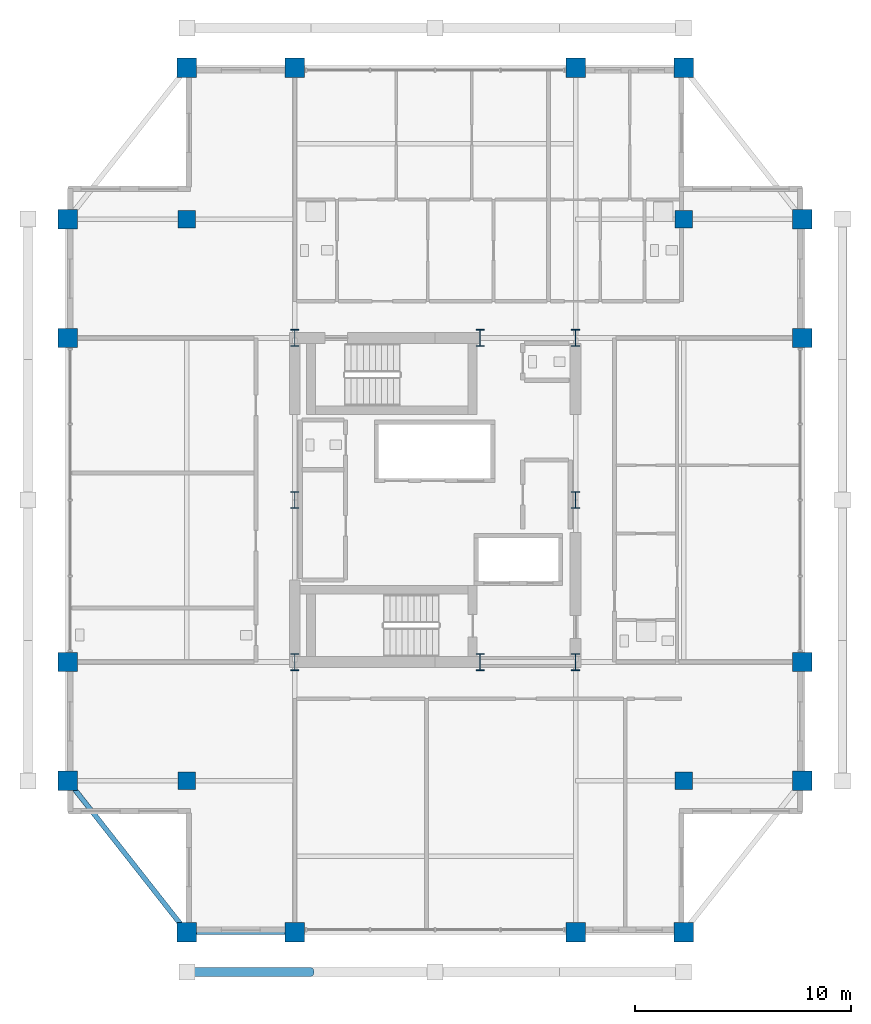
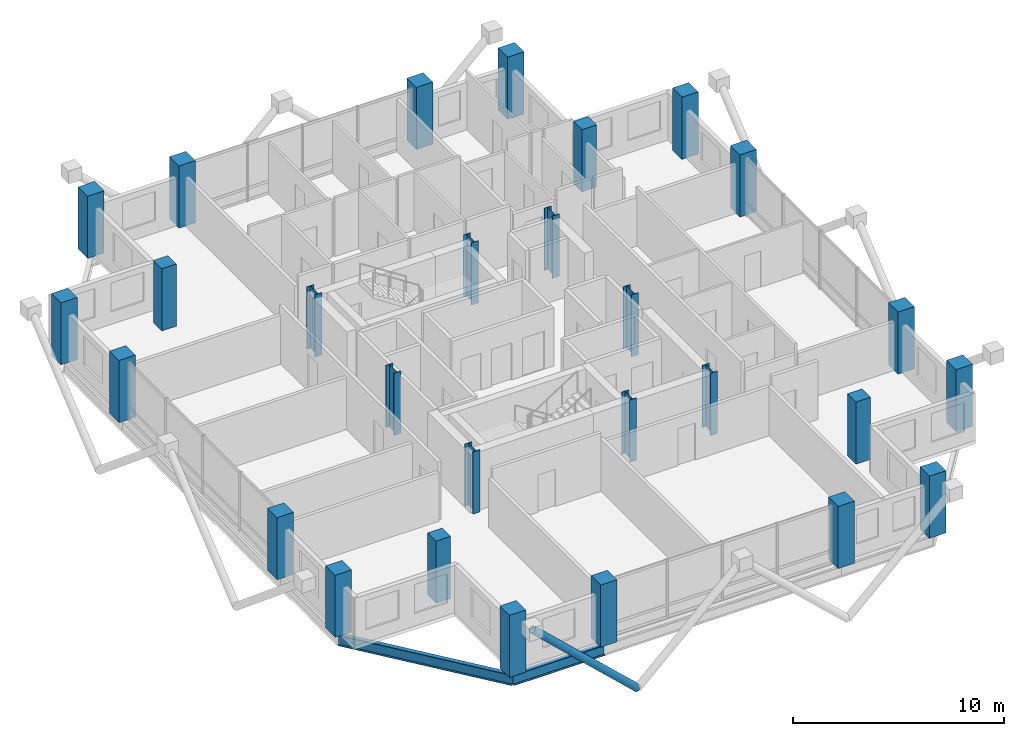
# One storey, part 1 of 23: 28 columns, 2 beams, 1 member.
"""IFC4 building model written with IfcOpenShell, lengths in metres."""

from ifc_helpers import new_model, si_unit, direction, frame, origin, origin_2d, place, context, subcontext, project, spatial, rectangle, hollow_circle, i_section, extrude, material, material_profile, profile_set, type_object, element, save


model = new_model("IFC4")

# Units and contexts
model_context = context("Model", 3, precision=1e-05, world=origin(), true_north=direction((0.0, 1.0)))
body_context = subcontext(model_context, "Body", "Model", "MODEL_VIEW")
ifc_project = project(units=[si_unit("LENGTHUNIT", "METRE"), si_unit("AREAUNIT", "SQUARE_METRE"), si_unit("VOLUMEUNIT", "CUBIC_METRE"), si_unit("PLANEANGLEUNIT", "RADIAN"), si_unit("MASSUNIT", "GRAM", prefix="KILO")], contexts=[model_context])

# Site, building, storey
site_placement = place(None, origin())
site = spatial("IfcSite", under=ifc_project, at=site_placement, CompositionType="ELEMENT")
building_placement = place(site_placement, origin())
building = spatial("IfcBuilding", under=site, at=building_placement, Name="Barlavira Tower and Art Museum", CompositionType="ELEMENT")
storey_placement = place(building_placement, frame((0.0, 0.0, 279.89990234375)))
storey = spatial("IfcBuildingStorey", under=building, at=storey_placement, Name="L73", CompositionType="ELEMENT", Elevation=279.89990234375)

# Columns
ifc_material_1 = material(Name="Steel S355", Category="steel")
ifc_material_profile_1 = material_profile(ifc_material_1, i_section(OverallWidth=0.382080078125, OverallDepth=0.785888671875, WebThickness=0.02001953125, FlangeThickness=0.032958984375, at=origin_2d()), Name="W760x314.0")
ifc_profile_set_1 = profile_set([ifc_material_profile_1], Name="Steel S355")
column_type_1 = type_object("IfcColumnType", Name="Core Composite Column W760x314 Steel S355", PredefinedType="COLUMN", material=ifc_profile_set_1)
for number, where, z_axis, x_axis, name in (
    (1, (-6.5, -7.5, 0.0), (0.0, 0.0, 1.0), (1.0, 0.0, 0.0), "L73 Column CC-L73-C1"),
    (2, (2.080078125, -7.5, 0.0), (0.0, 0.0, 1.0), (1.0, 0.0, 0.0), "L73 Column CC-L73-C2"),
    (3, (6.5, -7.5, 0.0), (0.0, 0.0, 1.0), (1.0, 0.0, 0.0), "L73 Column CC-L73-C3"),
    (4, (-6.5, 0.0, 0.0), (0.0, 0.0, 1.0), (1.0, 0.0, 0.0), "L73 Column CC-L73-C4"),
    (5, (6.5, 0.0, 0.0), (0.0, 0.0, 1.0), (1.0, 0.0, 0.0), "L73 Column CC-L73-C5"),
    (6, (-6.5, 7.5, 0.0), (0.0, 0.0, 1.0), (1.0, 0.0, 0.0), "L73 Column CC-L73-C6"),
    (7, (2.080078125, 7.5, 0.0), (0.0, 0.0, 1.0), (1.0, 0.0, 0.0), "L73 Column CC-L73-C7"),
    (8, (6.5, 7.5, 0.0), (0.0, 0.0, 1.0), (1.0, 0.0, 0.0), "L73 Column CC-L73-C8"),
):
    element("IfcColumn", number, at=place(storey_placement, frame(where, z_axis=z_axis, x_axis=x_axis)), inside=storey, type_object=column_type_1, Name=name, PredefinedType="COLUMN", context=body_context, shape_type="SweptSolid", body=[
        extrude(i_section(OverallWidth=0.382080078125, OverallDepth=0.785888671875, WebThickness=0.02001953125, FlangeThickness=0.032958984375, at=origin_2d()), origin(), (0.0, 0.0, 1.0), 3.60009765625),
    ])
ifc_material_2 = material(Name="Concrete C50", Category="concrete")
ifc_material_profile_2 = material_profile(ifc_material_2, rectangle(XDim=0.89990234375, YDim=0.89990234375, at=origin_2d()), Name="RC-COL 900x900")
ifc_profile_set_2 = profile_set([ifc_material_profile_2], Name="Concrete C50")
column_type_2 = type_object("IfcColumnType", Name="Perimeter Mega Column 900x900 Concrete C50", PredefinedType="USERDEFINED", material=ifc_profile_set_2)
for number, where, z_axis, x_axis, name in (
    (9, (-11.5, -20.0, 0.0), (0.0, 0.0, 1.0), (1.0, 0.0, 0.0), "L73 Column MC-L73-M01"),
    (10, (-6.5, -20.0, 0.0), (0.0, 0.0, 1.0), (1.0, 0.0, 0.0), "L73 Column MC-L73-M02"),
    (11, (6.5, -20.0, 0.0), (0.0, 0.0, 1.0), (1.0, 0.0, 0.0), "L73 Column MC-L73-M03"),
    (12, (11.5, -20.0, 0.0), (0.0, 0.0, 1.0), (1.0, 0.0, 0.0), "L73 Column MC-L73-M04"),
    (13, (17.0, -13.0, 0.0), (0.0, 0.0, 1.0), (1.0, 0.0, 0.0), "L73 Column MC-L73-M05"),
    (14, (17.0, -7.5, 0.0), (0.0, 0.0, 1.0), (1.0, 0.0, 0.0), "L73 Column MC-L73-M06"),
    (15, (17.0, 7.5, 0.0), (0.0, 0.0, 1.0), (1.0, 0.0, 0.0), "L73 Column MC-L73-M07"),
    (16, (17.0, 13.0, 0.0), (0.0, 0.0, 1.0), (1.0, 0.0, 0.0), "L73 Column MC-L73-M08"),
    (17, (11.5, 20.0, 0.0), (0.0, 0.0, 1.0), (1.0, 0.0, 0.0), "L73 Column MC-L73-M09"),
    (18, (6.5, 20.0, 0.0), (0.0, 0.0, 1.0), (1.0, 0.0, 0.0), "L73 Column MC-L73-M10"),
    (19, (-6.5, 20.0, 0.0), (0.0, 0.0, 1.0), (1.0, 0.0, 0.0), "L73 Column MC-L73-M11"),
    (20, (-11.5, 20.0, 0.0), (0.0, 0.0, 1.0), (1.0, 0.0, 0.0), "L73 Column MC-L73-M12"),
    (21, (-17.0, 13.0, 0.0), (0.0, 0.0, 1.0), (1.0, 0.0, 0.0), "L73 Column MC-L73-M13"),
    (22, (-17.0, 7.5, 0.0), (0.0, 0.0, 1.0), (1.0, 0.0, 0.0), "L73 Column MC-L73-M14"),
    (23, (-17.0, -7.5, 0.0), (0.0, 0.0, 1.0), (1.0, 0.0, 0.0), "L73 Column MC-L73-M15"),
    (24, (-17.0, -13.0, 0.0), (0.0, 0.0, 1.0), (1.0, 0.0, 0.0), "L73 Column MC-L73-M16"),
):
    element("IfcColumn", number, at=place(storey_placement, frame(where, z_axis=z_axis, x_axis=x_axis)), inside=storey, type_object=column_type_2, Name=name, ObjectType="MEGA COLUMN", PredefinedType="USERDEFINED", context=body_context, shape_type="SweptSolid", body=[
        extrude(rectangle(XDim=0.89990234375, YDim=0.89990234375, at=origin_2d()), origin(), (0.0, 0.0, 1.0), 3.60009765625),
    ])
ifc_material_profile_3 = material_profile(ifc_material_2, rectangle(XDim=0.800048828125, YDim=0.800048828125, at=origin_2d()), Name="RC-COL 800x800")
ifc_profile_set_3 = profile_set([ifc_material_profile_3], Name="Concrete C50")
column_type_3 = type_object("IfcColumnType", Name="Podium Frame Column 800x800 Concrete C50", PredefinedType="COLUMN", material=ifc_profile_set_3)
for number, where, z_axis, x_axis, name in (
    (25, (-11.5, -13.0, 0.0), (0.0, 0.0, 1.0), (1.0, 0.0, 0.0), "L73 Column CI-L73-I1"),
    (26, (11.5, -13.0, 0.0), (0.0, 0.0, 1.0), (1.0, 0.0, 0.0), "L73 Column CI-L73-I2"),
    (27, (-11.5, 13.0, 0.0), (0.0, 0.0, 1.0), (1.0, 0.0, 0.0), "L73 Column CI-L73-I3"),
    (28, (11.5, 13.0, 0.0), (0.0, 0.0, 1.0), (1.0, 0.0, 0.0), "L73 Column CI-L73-I4"),
):
    element("IfcColumn", number, at=place(storey_placement, frame(where, z_axis=z_axis, x_axis=x_axis)), inside=storey, type_object=column_type_3, Name=name, PredefinedType="COLUMN", context=body_context, shape_type="SweptSolid", body=[
        extrude(rectangle(XDim=0.800048828125, YDim=0.800048828125, at=origin_2d()), origin(), (0.0, 0.0, 1.0), 3.60009765625),
    ])

# Member
ifc_material_profile_4 = material_profile(ifc_material_1, hollow_circle(Radius=0.203125, WallThickness=0.01611328125, at=origin_2d()), Name="CHS 406.4x16.0")
ifc_profile_set_4 = profile_set([ifc_material_profile_4], Name="Steel S355")
member_type = type_object("IfcMemberType", Name="Pale-Metal Exoskeleton Diagrid Tube CHS 406x16 Steel S355", PredefinedType="BRACE", material=ifc_profile_set_4)
member_placement = place(storey_placement, frame((-5.75, -21.85009765625, -1.919921875), z_axis=(-0.728950095515, 0.0, 0.684566839869), x_axis=(0.0, -1.0, 0.0)))
element("IfcMember", 29, at=member_placement, inside=storey, type_object=member_type, Name="L73 Exoskeleton Diagrid Tube S", PredefinedType="BRACE", context=body_context, shape_type="SweptSolid", body=[
    extrude(hollow_circle(Radius=0.203125, WallThickness=0.01611328125, at=origin_2d()), origin(), (0.0, 0.0, 1.0), 7.887939453125),
])

# Beams
ifc_material_profile_5 = material_profile(ifc_material_1, i_section(OverallWidth=0.22998046875, OverallDepth=0.616943359375, WebThickness=0.01318359375, FlangeThickness=0.022216796875, at=origin_2d()), Name="W610x140.0")
ifc_profile_set_5 = profile_set([ifc_material_profile_5], Name="Steel S355")
beam_type = type_object("IfcBeamType", Name="Upper Shaft Spandrel Edge Beam W610x140 Steel S355", PredefinedType="SPANDREL", material=ifc_profile_set_5)
beam_1_placement = place(storey_placement, frame((-11.5, -20.0, -0.5283203125), z_axis=(1.0, 0.0, 0.0), x_axis=(0.0, 1.0, 0.0)))
element("IfcBeam", 30, at=beam_1_placement, inside=storey, type_object=beam_type, Name="L73 Spandrel 1", PredefinedType="SPANDREL", context=body_context, shape_type="SweptSolid", body=[
    extrude(i_section(OverallWidth=0.22998046875, OverallDepth=0.616943359375, WebThickness=0.01318359375, FlangeThickness=0.022216796875, at=origin_2d()), origin(), (0.0, 0.0, 1.0), 5.0),
])
beam_2_placement = place(storey_placement, frame((-17.0, -13.0, -0.5283203125), z_axis=(0.617821551932, -0.786318338822, 0.0), x_axis=(0.786318338822, 0.617821551932, 0.0)))
element("IfcBeam", 31, at=beam_2_placement, inside=storey, type_object=beam_type, Name="L73 Spandrel 16", PredefinedType="SPANDREL", context=body_context, shape_type="SweptSolid", body=[
    extrude(i_section(OverallWidth=0.22998046875, OverallDepth=0.616943359375, WebThickness=0.01318359375, FlangeThickness=0.022216796875, at=origin_2d()), origin(), (0.0, 0.0, 1.0), 8.90234375),
])

save(model, "model.ifc")
